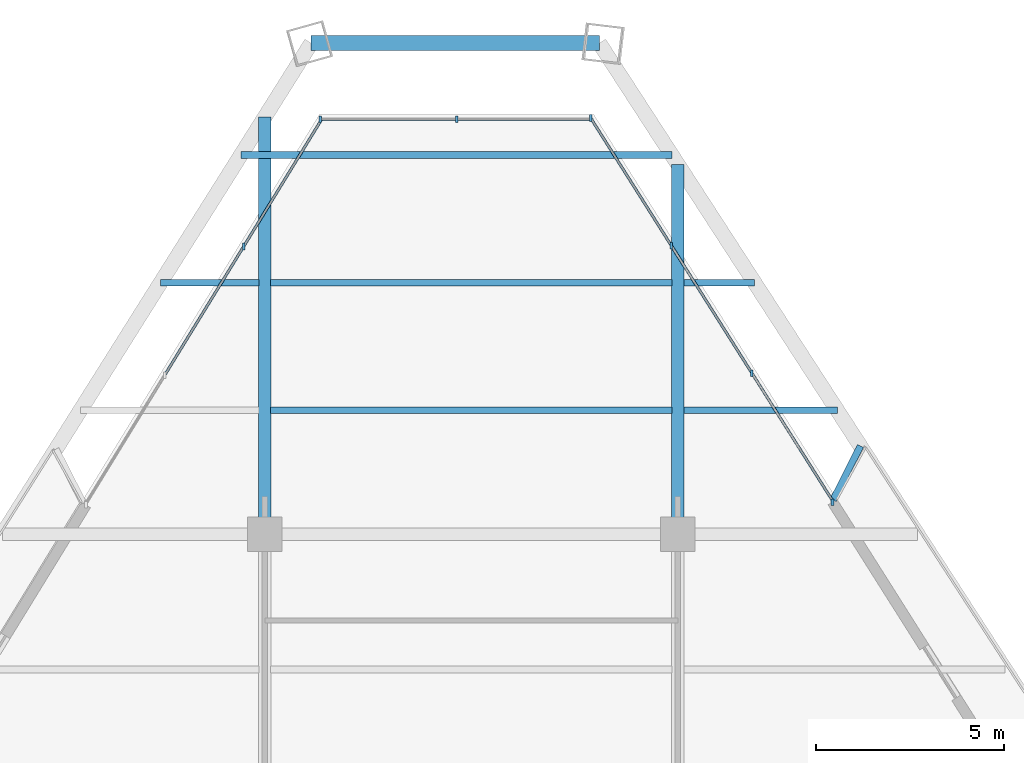
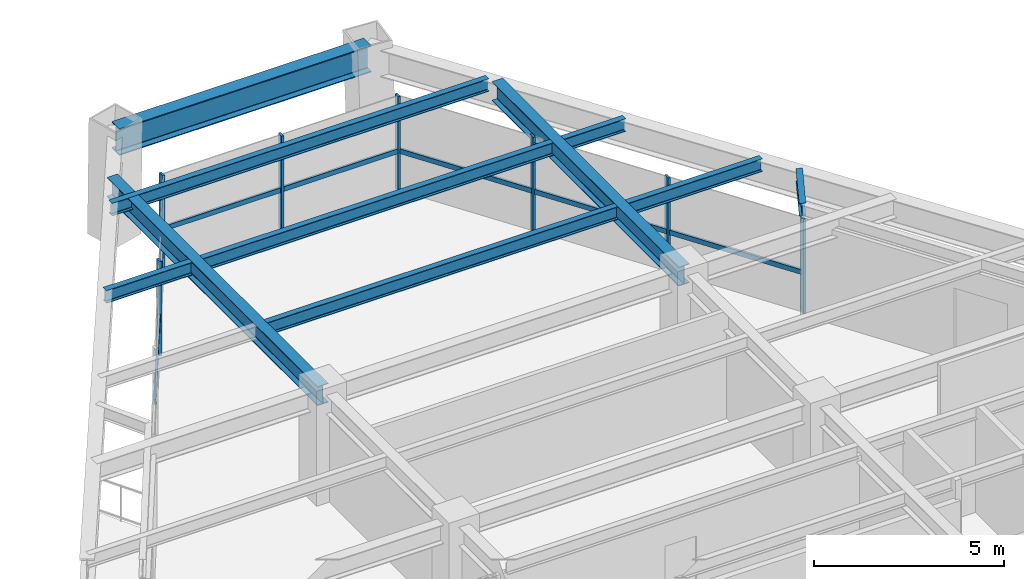
# One storey, part 9 of 15: 14 members, 10 beams, 3 elements without a shape of their own.
"""IFC4 building model written with IfcOpenShell, lengths in metres."""

import ifcopenshell
import ifcopenshell.guid

model = None  # the IFC model being written
_history = None  # IfcOwnerHistory: only IFC2X3 demands one
_inside = {}  # id of a spatial element -> (the spatial element, [elements in it])
_under = {}  # id of a project, library or spatial element -> (it, [spatial elements below it])
_declared = {}  # id of a project -> (the project, [libraries it declares])
_typed = {}  # id of a type object -> (the type object, [elements of that type])
_made_of = {}  # id of a material, layer set ... -> (it, [elements and type objects made of it])


def new_model(schema):
    """Start an empty IFC model of exactly this schema.

    Asked for "IFC4X3", IfcOpenShell would pick the latest addendum, in which some entities
    have other attributes; the version numbers below select the first issue.
    IFC2X3 requires an IfcOwnerHistory on every rooted entity: one is made here for all.
    """
    global model, _history
    if schema == "IFC4X3":
        model = ifcopenshell.file(schema_version=(4, 3, 0, 0))
    else:
        model = ifcopenshell.file(schema=schema)
    _inside.clear()
    _under.clear()
    _declared.clear()
    _typed.clear()
    _made_of.clear()
    _history = None
    if model.schema == "IFC2X3":
        org = make("IfcOrganization", Name="unknown")
        user = make(
            "IfcPersonAndOrganization",
            ThePerson=make("IfcPerson", FamilyName="unknown"),
            TheOrganization=org,
        )
        app = make(
            "IfcApplication",
            ApplicationDeveloper=org,
            Version="unknown",
            ApplicationFullName="unknown",
            ApplicationIdentifier="unknown",
        )
        _history = make(
            "IfcOwnerHistory",
            OwningUser=user,
            OwningApplication=app,
            ChangeAction="ADDED",
            CreationDate=0,
        )
    return model


def make(cls, **values):
    """One entity of the class cls with the attributes given. An attribute that is None is left unset."""
    return model.create_entity(
        cls, **{name: value for name, value in values.items() if value is not None}
    )


def rooted(cls, **values):
    """An entity with a GlobalId (a new one), such as an element, a storey or a relation."""
    return make(cls, GlobalId=ifcopenshell.guid.new(), OwnerHistory=_history, **values)


def si_unit(unit_type, name, prefix=None):
    """IfcSIUnit, for example si_unit("LENGTHUNIT", "METRE", prefix="MILLI")."""
    return make("IfcSIUnit", UnitType=unit_type, Prefix=prefix, Name=name)


def assignment(units):
    """IfcUnitAssignment: the units of a project."""
    return None if units is None else make("IfcUnitAssignment", Units=units)


def point(xyz):
    """IfcCartesianPoint."""
    return None if xyz is None else make("IfcCartesianPoint", Coordinates=xyz)


def direction(xyz):
    """IfcDirection."""
    return None if xyz is None else make("IfcDirection", DirectionRatios=xyz)


def frame(location, z_axis=None, x_axis=None):
    """IfcAxis2Placement3D, a coordinate frame: its origin and axes. An axis left out is left unset."""
    return make(
        "IfcAxis2Placement3D",
        Location=point(location),
        Axis=direction(z_axis),
        RefDirection=direction(x_axis),
    )


def frame_2d(location, x_axis=None):
    """IfcAxis2Placement2D, a coordinate frame in the plane: its origin and x axis."""
    return make(
        "IfcAxis2Placement2D", Location=point(location), RefDirection=direction(x_axis)
    )


def origin():
    """The frame at (0, 0, 0) with its axes left unset."""
    return frame((0.0, 0.0, 0.0))


def origin_2d():
    """The frame at (0, 0) in the plane with its x axis left unset."""
    return frame_2d((0.0, 0.0))


def place(relative_to, where):
    """IfcLocalPlacement: puts the frame where relative to a parent placement (None: the world)."""
    return make(
        "IfcLocalPlacement", PlacementRelTo=relative_to, RelativePlacement=where
    )


def context(
    kind, dimensions, precision=None, world=None, true_north=None, identifier=None
):
    """IfcGeometricRepresentationContext, for example the 3D "Model" context."""
    return make(
        "IfcGeometricRepresentationContext",
        ContextIdentifier=identifier,
        ContextType=kind,
        CoordinateSpaceDimension=dimensions,
        Precision=precision,
        WorldCoordinateSystem=world,
        TrueNorth=true_north,
    )


def subcontext(parent, identifier, kind, view, scale=None):
    """IfcGeometricRepresentationSubContext, for example "Body" below "Model"."""
    return make(
        "IfcGeometricRepresentationSubContext",
        ContextIdentifier=identifier,
        ContextType=kind,
        ParentContext=parent,
        TargetScale=scale,
        TargetView=view,
    )


def project(units=None, contexts=None):
    """IfcProject with its units and contexts."""
    return rooted(
        "IfcProject",
        Name="project",
        RepresentationContexts=contexts,
        UnitsInContext=assignment(units),
    )


def spatial(cls, under=None, at=None, **own):
    """A site, building, storey or space (cls), placed at a placement, below another one or the project."""
    s = rooted(cls, ObjectPlacement=at, **own)
    if under is not None:
        _under.setdefault(under.id(), (under, []))[1].append(s)
    return s


def profile(cls, at=None, kind="AREA", **sizes):
    """A parametric profile (cls). Its sizes go by their IFC names, for example OverallWidth=200.0."""
    return make(cls, ProfileType=kind, Position=at, **sizes)


def rectangle(**sizes):
    """IfcRectangleProfileDef."""
    return profile("IfcRectangleProfileDef", **sizes)


def i_section(**sizes):
    """IfcIShapeProfileDef."""
    return profile("IfcIShapeProfileDef", **sizes)


def extrude(swept, where, along, depth):
    """IfcExtrudedAreaSolid: the profile swept, set in the frame where, extruded along a direction by depth."""
    return make(
        "IfcExtrudedAreaSolid",
        SweptArea=swept,
        Position=where,
        ExtrudedDirection=direction(along),
        Depth=depth,
    )


def shape(context_of_items, identifier, shape_type, items):
    """IfcShapeRepresentation: the items that make up one representation, for example the "Body"."""
    return make(
        "IfcShapeRepresentation",
        ContextOfItems=context_of_items,
        RepresentationIdentifier=identifier,
        RepresentationType=shape_type,
        Items=items,
    )


def source(mapping_origin, context_of_items, identifier, shape_type, items):
    """IfcRepresentationMap: a shape defined once, which mapped items show again and again."""
    return make(
        "IfcRepresentationMap",
        MappingOrigin=mapping_origin,
        MappedRepresentation=shape(context_of_items, identifier, shape_type, items),
    )


def transform(
    local_origin,
    x_axis=None,
    y_axis=None,
    z_axis=None,
    scale=None,
    scale2=None,
    scale3=None,
    uniform=True,
):
    """IfcCartesianTransformationOperator3D, or its non-uniform kind. x_axis, y_axis, z_axis: its Axis1, 2, 3."""
    if uniform:
        return make(
            "IfcCartesianTransformationOperator3D",
            Axis1=direction(x_axis),
            Axis2=direction(y_axis),
            LocalOrigin=point(local_origin),
            Scale=scale,
            Axis3=direction(z_axis),
        )
    return make(
        "IfcCartesianTransformationOperator3DnonUniform",
        Axis1=direction(x_axis),
        Axis2=direction(y_axis),
        LocalOrigin=point(local_origin),
        Scale=scale,
        Axis3=direction(z_axis),
        Scale2=scale2,
        Scale3=scale3,
    )


def mapped(mapping_source, mapping_target):
    """IfcMappedItem: shows the shape of a source again, moved by a transform."""
    return make(
        "IfcMappedItem", MappingSource=mapping_source, MappingTarget=mapping_target
    )


def material(Name=None, Category=None):
    """IfcMaterial."""
    return make("IfcMaterial", Name=Name, Category=Category)


def material_profile(
    of_material, cross_section, Name=None, Category=None, Priority=None
):
    """IfcMaterialProfile: a cross section and its material."""
    return make(
        "IfcMaterialProfile",
        Name=Name,
        Material=of_material,
        Profile=cross_section,
        Priority=Priority,
        Category=Category,
    )


def profile_set(profiles, Name=None, composite=None):
    """IfcMaterialProfileSet."""
    return make(
        "IfcMaterialProfileSet",
        Name=Name,
        MaterialProfiles=profiles,
        CompositeProfile=composite,
    )


def made_of(thing, what):
    """Note that an element or type object is made of a material, layer set ...; save() writes the relation."""
    if what is not None:
        _made_of.setdefault(what.id(), (what, []))[1].append(thing)
    return thing


def type_object(cls, material=None, **own):
    """A type object (cls), such as IfcWallType, which elements share."""
    return made_of(rooted(cls, **own), material)


def element(
    cls,
    number,
    at=None,
    inside=None,
    cuts=None,
    type_object=None,
    material=None,
    context=None,
    identifier="Body",
    shape_type=None,
    held_by="IfcProductDefinitionShape",
    body=None,
    shapes=None,
    **own,
):
    """One element of the class cls, such as IfcWall. Its Tag is "e" and its number.

    at: its placement. inside: the storey or other place that contains it. cuts: it is an
    opening in that element (IfcRelVoidsElement). A single representation is given by context,
    identifier, shape_type and body (its items); several are given by shapes. held_by: the class
    of the entity that holds the representations. save() writes the other relations.
    """
    e = rooted(cls, Tag="e%d" % number, ObjectPlacement=at, **own)
    if body is not None:
        shapes = [shape(context, identifier, shape_type, body)]
    if shapes is not None:
        e.Representation = make(held_by, Representations=shapes)
    if inside is not None:
        _inside.setdefault(inside.id(), (inside, []))[1].append(e)
    if cuts is not None:
        rooted(
            "IfcRelVoidsElement", RelatingBuildingElement=cuts, RelatedOpeningElement=e
        )
    if type_object is not None:
        _typed.setdefault(type_object.id(), (type_object, []))[1].append(e)
    return made_of(e, material)


def aggregate(whole, parts):
    """IfcRelAggregates: a whole, such as a stair, and the parts it consists of."""
    return rooted("IfcRelAggregates", RelatingObject=whole, RelatedObjects=parts)


def save(model, path):
    """Write the relations noted so far, then the file.

    IfcRelAggregates (storeys below a building ...), IfcRelContainedInSpatialStructure (elements
    in a storey), IfcRelDefinesByType, IfcRelAssociatesMaterial and IfcRelDeclares: one each for
    every whole, place, type object, material and project.
    """
    for whole, parts in _under.values():
        aggregate(whole, parts)
    for where, things in _inside.values():
        rooted(
            "IfcRelContainedInSpatialStructure",
            RelatedElements=things,
            RelatingStructure=where,
        )
    for kind, things in _typed.values():
        rooted("IfcRelDefinesByType", RelatedObjects=things, RelatingType=kind)
    for what, things in _made_of.values():
        rooted("IfcRelAssociatesMaterial", RelatedObjects=things, RelatingMaterial=what)
    for by, libraries in _declared.values():
        rooted("IfcRelDeclares", RelatingContext=by, RelatedDefinitions=libraries)
    model.write(path)


model = new_model("IFC4")

# Units and contexts
model_context = context("Model", 3, precision=1e-05, world=origin(), true_north=direction((0.0, 1.0)))
body_context = subcontext(model_context, "Body", "Model", "MODEL_VIEW")
ifc_project = project(units=[si_unit("LENGTHUNIT", "METRE"), si_unit("AREAUNIT", "SQUARE_METRE"), si_unit("VOLUMEUNIT", "CUBIC_METRE"), si_unit("PLANEANGLEUNIT", "RADIAN"), si_unit("MASSUNIT", "GRAM", prefix="KILO")], contexts=[model_context])

# Site, building, storey
site_placement = place(None, origin())
site = spatial("IfcSite", under=ifc_project, at=site_placement, CompositionType="ELEMENT")
building_placement = place(site_placement, origin())
building = spatial("IfcBuilding", under=site, at=building_placement, Name="Varnakhor Terracotta Tower", CompositionType="ELEMENT")
storey_placement = place(building_placement, frame((0.0, 0.0, 196.89990234375)))
storey = spatial("IfcBuildingStorey", under=building, at=storey_placement, Name="L50", CompositionType="ELEMENT", Elevation=196.89990234375)

# Beams
ifc_material_1 = material(Name="Steel S355", Category="steel")
ifc_material_profile_1 = material_profile(ifc_material_1, i_section(OverallWidth=0.179931640625, OverallDepth=0.4130859375, WebThickness=0.009765625, FlangeThickness=0.01611328125, FilletRadius=0.01806640625, at=origin_2d()), Name="W16X50")
ifc_profile_set_1 = profile_set([ifc_material_profile_1], Name="Steel S355")
beam_type_1 = type_object("IfcBeamType", Name="JST-W16X50", PredefinedType="JOIST", material=ifc_profile_set_1)
shared_shape_1 = source(origin(), body_context, "Body", "SweptSolid", [
    extrude(i_section(OverallWidth=0.179931640625, OverallDepth=0.4130859375, WebThickness=0.009765625, FlangeThickness=0.01611328125, FilletRadius=0.01806640625, at=origin_2d()), origin(), (0.0, 0.0, 1.0), 10.68310546875),
])
for number, where, z_axis, x_axis, name in (
    (1, (-5.341552734375, 34.800048828125, 3.263671875), (1.0, 0.0, 0.0), (0.0, 1.0, 0.0), "L50 Composite Floor Joist 7-2"),
    (2, (-5.341552734375, 38.199951171875, 3.263671875), (1.0, 0.0, 0.0), (0.0, 1.0, 0.0), "L50 Composite Floor Joist 8-2"),
):
    element("IfcBeam", number, at=place(storey_placement, frame(where, z_axis=z_axis, x_axis=x_axis)), inside=storey, type_object=beam_type_1, Name=name, PredefinedType="JOIST", context=body_context, shape_type="MappedRepresentation", body=[
        mapped(shared_shape_1, transform((0.0, 0.0, 0.0), scale=1.0)),
    ])
ifc_material_profile_2 = material_profile(ifc_material_1, i_section(OverallWidth=0.39990234375, OverallDepth=0.85498046875, WebThickness=0.01806640625, FlangeThickness=0.029052734375, FilletRadius=0.01806640625, at=origin_2d()), Name="W33X201")
ifc_profile_set_2 = profile_set([ifc_material_profile_2], Name="Steel S355")
beam_type_2 = type_object("IfcBeamType", Name="BM-W33X201", PredefinedType="BEAM", material=ifc_profile_set_2)
shared_shape_2 = source(origin(), body_context, "Body", "SweptSolid", [
    extrude(i_section(OverallWidth=0.39990234375, OverallDepth=0.85498046875, WebThickness=0.01806640625, FlangeThickness=0.029052734375, FilletRadius=0.01806640625, at=origin_2d()), origin(), (0.0, 0.0, 1.0), 7.6728515625),
])
beam_1_placement = place(storey_placement, frame((3.40966796875, 44.580078125, 3.04248046875), z_axis=(-1.0, 0.0, 0.0), x_axis=(0.0, -1.0, 0.0)))
element("IfcBeam", 3, at=beam_1_placement, inside=storey, type_object=beam_type_2, Name="L50 Perimeter Spandrel 5", PredefinedType="BEAM", context=body_context, shape_type="MappedRepresentation", body=[
    mapped(shared_shape_2, transform((0.0, 0.0, 0.0), scale=1.0)),
])
ifc_material_profile_3 = material_profile(ifc_material_1, i_section(OverallWidth=0.324951171875, OverallDepth=0.615966796875, WebThickness=0.013916015625, FlangeThickness=0.02197265625, FilletRadius=0.01806640625, at=origin_2d()), Name="W24X117")
ifc_profile_set_3 = profile_set([ifc_material_profile_3], Name="Steel S355")
beam_type_3 = type_object("IfcBeamType", Name="BM-W24X117", PredefinedType="BEAM", material=ifc_profile_set_3)
shared_shape_3 = source(origin(), body_context, "Body", "SweptSolid", [
    extrude(i_section(OverallWidth=0.324951171875, OverallDepth=0.615966796875, WebThickness=0.013916015625, FlangeThickness=0.02197265625, FilletRadius=0.01806640625, at=origin_2d()), origin(), (0.0, 0.0, 1.0), 11.113525390625),
])
beam_2_placement = place(storey_placement, frame((-5.5, 31.5, 3.162109375), z_axis=(0.0, 1.0, 0.0), x_axis=(-1.0, 0.0, 0.0)))
element("IfcBeam", 4, at=beam_2_placement, inside=storey, type_object=beam_type_3, Name="L50 Primary Girder NS3-W", PredefinedType="BEAM", context=body_context, shape_type="MappedRepresentation", body=[
    mapped(shared_shape_3, transform((0.0, 0.0, 0.0), scale=1.0)),
])
shared_shape_4 = source(origin(), body_context, "Body", "SweptSolid", [
    extrude(i_section(OverallWidth=0.324951171875, OverallDepth=0.615966796875, WebThickness=0.013916015625, FlangeThickness=0.02197265625, FilletRadius=0.01806640625, at=origin_2d()), origin(), (0.0, 0.0, 1.0), 9.854248046875),
])
beam_3_placement = place(storey_placement, frame((5.5, 31.5, 3.162109375), z_axis=(0.0, 1.0, 0.0), x_axis=(-1.0, 0.0, 0.0)))
element("IfcBeam", 5, at=beam_3_placement, inside=storey, type_object=beam_type_3, Name="L50 Primary Girder NS3-E", PredefinedType="BEAM", context=body_context, shape_type="MappedRepresentation", body=[
    mapped(shared_shape_4, transform((0.0, 0.0, 0.0), scale=1.0)),
])
shared_shape_5 = source(origin(), body_context, "Body", "SweptSolid", [
    extrude(i_section(OverallWidth=0.179931640625, OverallDepth=0.4130859375, WebThickness=0.009765625, FlangeThickness=0.01611328125, FilletRadius=0.01806640625, at=origin_2d()), origin(), (0.0, 0.0, 1.0), 4.0888671875),
])
beam_4_placement = place(storey_placement, frame((5.658447265625, 34.800048828125, 3.263671875), z_axis=(1.0, 0.0, 0.0), x_axis=(0.0, 1.0, 0.0)))
element("IfcBeam", 6, at=beam_4_placement, inside=storey, type_object=beam_type_1, Name="L50 Composite Floor Joist 7-3", PredefinedType="JOIST", context=body_context, shape_type="MappedRepresentation", body=[
    mapped(shared_shape_5, transform((0.0, 0.0, 0.0), scale=1.0)),
])
shared_shape_6 = source(origin(), body_context, "Body", "SweptSolid", [
    extrude(i_section(OverallWidth=0.179931640625, OverallDepth=0.4130859375, WebThickness=0.009765625, FlangeThickness=0.01611328125, FilletRadius=0.01806640625, at=origin_2d()), origin(), (0.0, 0.0, 1.0), 2.6171875),
])
beam_5_placement = place(storey_placement, frame((-8.275634765625, 38.199951171875, 3.263671875), z_axis=(1.0, 0.0, 0.0), x_axis=(0.0, 1.0, 0.0)))
element("IfcBeam", 7, at=beam_5_placement, inside=storey, type_object=beam_type_1, Name="L50 Composite Floor Joist 8-1", PredefinedType="JOIST", context=body_context, shape_type="MappedRepresentation", body=[
    mapped(shared_shape_6, transform((0.0, 0.0, 0.0), scale=1.0)),
])
shared_shape_7 = source(origin(), body_context, "Body", "SweptSolid", [
    extrude(i_section(OverallWidth=0.179931640625, OverallDepth=0.4130859375, WebThickness=0.009765625, FlangeThickness=0.01611328125, FilletRadius=0.01806640625, at=origin_2d()), origin(), (0.0, 0.0, 1.0), 1.8857421875),
])
beam_6_placement = place(storey_placement, frame((5.658447265625, 38.199951171875, 3.263671875), z_axis=(1.0, 0.0, 0.0), x_axis=(0.0, 1.0, 0.0)))
element("IfcBeam", 8, at=beam_6_placement, inside=storey, type_object=beam_type_1, Name="L50 Composite Floor Joist 8-3", PredefinedType="JOIST", context=body_context, shape_type="MappedRepresentation", body=[
    mapped(shared_shape_7, transform((0.0, 0.0, 0.0), scale=1.0)),
])
shared_shape_8 = source(origin(), body_context, "Body", "SweptSolid", [
    extrude(i_section(OverallWidth=0.179931640625, OverallDepth=0.4130859375, WebThickness=0.009765625, FlangeThickness=0.01611328125, FilletRadius=0.01806640625, at=origin_2d()), origin(), (0.0, 0.0, 1.0), 11.478271484375),
])
beam_7_placement = place(storey_placement, frame((-6.137451171875, 41.60009765625, 3.263671875), z_axis=(1.0, 0.0, 0.0), x_axis=(0.0, 1.0, 0.0)))
element("IfcBeam", 9, at=beam_7_placement, inside=storey, type_object=beam_type_1, Name="L50 Composite Floor Joist 9-1", PredefinedType="JOIST", context=body_context, shape_type="MappedRepresentation", body=[
    mapped(shared_shape_8, transform((0.0, 0.0, 0.0), scale=1.0)),
])
ifc_material_profile_4 = material_profile(ifc_material_1, i_section(OverallWidth=0.179931640625, OverallDepth=0.39990234375, WebThickness=0.008544921875, FlangeThickness=0.013427734375, FilletRadius=0.01806640625, at=origin_2d()), Name="IPE400")
ifc_profile_set_4 = profile_set([ifc_material_profile_4], Name="Steel S355")
beam_type_4 = type_object("IfcBeamType", Name="JST-IPE400", PredefinedType="JOIST", material=ifc_profile_set_4)
shared_shape_9 = source(origin(), body_context, "Body", "SweptSolid", [
    extrude(i_section(OverallWidth=0.179931640625, OverallDepth=0.39990234375, WebThickness=0.008544921875, FlangeThickness=0.013427734375, FilletRadius=0.01806640625, at=origin_2d()), origin(), (0.0, 0.0, 1.0), 1.612548828125),
])
beam_8_placement = place(storey_placement, frame((9.635498046875, 32.41064453125, 3.27001953125), z_axis=(0.451508508194, 0.892266813811, 0.0), x_axis=(-0.892266813811, 0.451508508194, 0.0)))
element("IfcBeam", 10, at=beam_8_placement, inside=storey, type_object=beam_type_4, Name="L51 E Loggia Tie Beam 1", PredefinedType="JOIST", context=body_context, shape_type="MappedRepresentation", body=[
    mapped(shared_shape_9, transform((0.0, 0.0, 0.0), scale=1.0)),
])

# Curtain wall, member
ifc_material_2 = material(Name="Anodised Aluminium Curtain Wall System", Category="aluminium")
curtain_wall_type = type_object("IfcCurtainWallType", Name="CW-SYS-MID-OFFICE", PredefinedType="NOTDEFINED", material=ifc_material_2)
curtain_wall_1_placement = place(storey_placement, origin())
curtain_wall_1 = element("IfcCurtainWall", 11, at=curtain_wall_1_placement, inside=storey, type_object=curtain_wall_type, Name="L50 W Facet Curtain Wall 2", PredefinedType="NOTDEFINED")
ifc_material_3 = material(Name="Anodised Aluminium 6063-T6", Category="aluminium")
ifc_material_profile_5 = material_profile(ifc_material_3, rectangle(XDim=0.070068359375, YDim=0.175048828125, at=origin_2d()), Name="ALU MULLION 70x175")
ifc_profile_set_5 = profile_set([ifc_material_profile_5], Name="Anodised Aluminium 6063-T6")
member_type_1 = type_object("IfcMemberType", Name="CWM-03", PredefinedType="MULLION", material=ifc_profile_set_5)
shared_shape_10 = source(origin(), body_context, "Body", "SweptSolid", [
    extrude(rectangle(XDim=0.070068359375, YDim=0.175048828125, at=origin_2d()), origin(), (0.0, 0.0, 1.0), 3.050048828125),
])
member_1_placement = place(storey_placement, frame((-6.06298828125, 39.16357421875, 0.0), z_axis=(0.0, 0.0, 1.0), x_axis=(1.0, 0.0, 0.0)))
member_1 = element("IfcMember", 12, at=member_1_placement, type_object=member_type_1, Name="L50 W Facet Curtain Wall 2 Mullion 3", PredefinedType="MULLION", context=body_context, shape_type="MappedRepresentation", body=[
    mapped(shared_shape_10, transform((0.0, 0.0, 0.0), scale=1.0)),
])

# Curtain wall, members
curtain_wall_2_placement = place(storey_placement, origin())
curtain_wall_2 = element("IfcCurtainWall", 13, at=curtain_wall_2_placement, inside=storey, type_object=curtain_wall_type, Name="L50 Facet Curtain Wall 2", PredefinedType="NOTDEFINED")
member_2_placement = place(storey_placement, frame((-4.018798828125, 42.5556640625, 0.0), z_axis=(0.0, 0.0, 1.0), x_axis=(1.0, 0.0, 0.0)))
member_2 = element("IfcMember", 14, at=member_2_placement, type_object=member_type_1, Name="L50 Facet Curtain Wall 2 Mullion 1", PredefinedType="MULLION", context=body_context, shape_type="MappedRepresentation", body=[
    mapped(shared_shape_10, transform((0.0, 0.0, 0.0), scale=1.0)),
])
member_3_placement = place(storey_placement, frame((-0.391845703125, 42.5556640625, 0.0), z_axis=(0.0, 0.0, 1.0), x_axis=(1.0, 0.0, 0.0)))
member_3 = element("IfcMember", 15, at=member_3_placement, type_object=member_type_1, Name="L50 Facet Curtain Wall 2 Mullion 2", PredefinedType="MULLION", context=body_context, shape_type="MappedRepresentation", body=[
    mapped(shared_shape_10, transform((0.0, 0.0, 0.0), scale=1.0)),
])

curtain_wall_3_placement = place(storey_placement, origin())
curtain_wall_3 = element("IfcCurtainWall", 16, at=curtain_wall_3_placement, inside=storey, type_object=curtain_wall_type, Name="L50 E Facet Curtain Wall 1", PredefinedType="NOTDEFINED")
member_4_placement = place(storey_placement, frame((3.179443359375, 42.586181640625, 0.0), z_axis=(0.0, 0.0, 1.0), x_axis=(1.0, 0.0, 0.0)))
member_4 = element("IfcMember", 17, at=member_4_placement, type_object=member_type_1, Name="L50 E Facet Curtain Wall 1 Mullion 1", PredefinedType="MULLION", context=body_context, shape_type="MappedRepresentation", body=[
    mapped(shared_shape_10, transform((0.0, 0.0, 0.0), scale=1.0)),
])
member_5_placement = place(storey_placement, frame((5.32666015625, 39.188720703125, 0.0), z_axis=(0.0, 0.0, 1.0), x_axis=(1.0, 0.0, 0.0)))
member_5 = element("IfcMember", 18, at=member_5_placement, type_object=member_type_1, Name="L50 E Facet Curtain Wall 1 Mullion 2", PredefinedType="MULLION", context=body_context, shape_type="MappedRepresentation", body=[
    mapped(shared_shape_10, transform((0.0, 0.0, 0.0), scale=1.0)),
])
member_6_placement = place(storey_placement, frame((7.473876953125, 35.791259765625, 0.0), z_axis=(0.0, 0.0, 1.0), x_axis=(1.0, 0.0, 0.0)))
member_6 = element("IfcMember", 19, at=member_6_placement, type_object=member_type_1, Name="L50 E Facet Curtain Wall 1 Mullion 3", PredefinedType="MULLION", context=body_context, shape_type="MappedRepresentation", body=[
    mapped(shared_shape_10, transform((0.0, 0.0, 0.0), scale=1.0)),
])
member_7_placement = place(storey_placement, frame((9.6201171875, 32.35791015625, 0.0), z_axis=(0.0, 0.0, 1.0), x_axis=(1.0, 0.0, 0.0)))
member_7 = element("IfcMember", 20, at=member_7_placement, type_object=member_type_1, Name="L50 E Loggia Jamb Closure Mullion 1", PredefinedType="MULLION", context=body_context, shape_type="MappedRepresentation", body=[
    mapped(shared_shape_10, transform((0.0, 0.0, 0.0), scale=1.0)),
])

# Member
ifc_material_profile_6 = material_profile(ifc_material_3, rectangle(XDim=0.070068359375, YDim=0.155029296875, at=origin_2d()), Name="ALU TRANSOM 70x155")
ifc_profile_set_6 = profile_set([ifc_material_profile_6], Name="Anodised Aluminium 6063-T6")
member_type_2 = type_object("IfcMemberType", Name="CWT-03", PredefinedType="USERDEFINED", material=ifc_profile_set_6)
shared_shape_11 = source(origin(), body_context, "Body", "SweptSolid", [
    extrude(rectangle(XDim=0.070068359375, YDim=0.155029296875, at=origin_2d()), origin(), (0.0, 0.0, 1.0), 4.01708984375),
])
member_8_placement = place(storey_placement, frame((-6.06298828125, 39.16357421875, 1.281005859375), z_axis=(0.522988122925, 0.852339969308, 0.0), x_axis=(-0.852339969308, 0.522988122925, 0.0)))
member_8 = element("IfcMember", 21, at=member_8_placement, type_object=member_type_2, Name="L50 W Facet Curtain Wall 2 Transom 3", ObjectType="TRANSOM", PredefinedType="USERDEFINED", context=body_context, shape_type="MappedRepresentation", body=[
    mapped(shared_shape_11, transform((0.0, 0.0, 0.0), scale=1.0)),
])

shared_shape_12 = source(origin(), body_context, "Body", "SweptSolid", [
    extrude(rectangle(XDim=0.070068359375, YDim=0.155029296875, at=origin_2d()), origin(), (0.0, 0.0, 1.0), 4.016845703125),
])
member_9_placement = place(storey_placement, frame((-8.1640625, 35.739990234375, 1.281005859375), z_axis=(0.523059368463, 0.852296249589, 0.0), x_axis=(-0.852296249589, 0.523059368463, 0.0)))
member_9 = element("IfcMember", 22, at=member_9_placement, type_object=member_type_2, Name="L50 W Facet Curtain Wall 2 Transom 2", ObjectType="TRANSOM", PredefinedType="USERDEFINED", context=body_context, shape_type="MappedRepresentation", body=[
    mapped(shared_shape_12, transform((0.0, 0.0, 0.0), scale=1.0)),
])

aggregate(curtain_wall_1, [member_9, member_1, member_8])

shared_shape_13 = source(origin(), body_context, "Body", "SweptSolid", [
    extrude(rectangle(XDim=0.070068359375, YDim=0.155029296875, at=origin_2d()), origin(), (0.0, 0.0, 1.0), 3.626953125),
])
member_10_placement = place(storey_placement, frame((-4.018798828125, 42.5556640625, 1.281005859375), z_axis=(1.0, 0.0, 0.0), x_axis=(0.0, 1.0, 0.0)))
member_10 = element("IfcMember", 23, at=member_10_placement, type_object=member_type_2, Name="L50 Facet Curtain Wall 2 Transom 1", ObjectType="TRANSOM", PredefinedType="USERDEFINED", context=body_context, shape_type="MappedRepresentation", body=[
    mapped(shared_shape_13, transform((0.0, 0.0, 0.0), scale=1.0)),
])

shared_shape_14 = source(origin(), body_context, "Body", "SweptSolid", [
    extrude(rectangle(XDim=0.070068359375, YDim=0.155029296875, at=origin_2d()), origin(), (0.0, 0.0, 1.0), 3.626708984375),
])
member_11_placement = place(storey_placement, frame((-0.391845703125, 42.5556640625, 1.281005859375), z_axis=(1.0, 0.0, 0.0), x_axis=(0.0, 1.0, 0.0)))
member_11 = element("IfcMember", 24, at=member_11_placement, type_object=member_type_2, Name="L50 Facet Curtain Wall 2 Transom 2", ObjectType="TRANSOM", PredefinedType="USERDEFINED", context=body_context, shape_type="MappedRepresentation", body=[
    mapped(shared_shape_14, transform((0.0, 0.0, 0.0), scale=1.0)),
])

aggregate(curtain_wall_2, [member_2, member_10, member_3, member_11])

shared_shape_15 = source(origin(), body_context, "Body", "SweptSolid", [
    extrude(rectangle(XDim=0.070068359375, YDim=0.155029296875, at=origin_2d()), origin(), (0.0, 0.0, 1.0), 4.01904296875),
])
member_12_placement = place(storey_placement, frame((3.179443359375, 42.586181640625, 1.281005859375), z_axis=(0.534251222434, -0.845325754563, 0.0), x_axis=(0.845325754563, 0.534251222434, 0.0)))
member_12 = element("IfcMember", 25, at=member_12_placement, type_object=member_type_2, Name="L50 E Facet Curtain Wall 1 Transom 1", ObjectType="TRANSOM", PredefinedType="USERDEFINED", context=body_context, shape_type="MappedRepresentation", body=[
    mapped(shared_shape_15, transform((0.0, 0.0, 0.0), scale=1.0)),
])

member_13_placement = place(storey_placement, frame((5.32666015625, 39.188720703125, 1.281005859375), z_axis=(0.534251222434, -0.845325754563, 0.0), x_axis=(0.845325754563, 0.534251222434, 0.0)))
member_13 = element("IfcMember", 26, at=member_13_placement, type_object=member_type_2, Name="L50 E Facet Curtain Wall 1 Transom 2", ObjectType="TRANSOM", PredefinedType="USERDEFINED", context=body_context, shape_type="MappedRepresentation", body=[
    mapped(shared_shape_15, transform((0.0, 0.0, 0.0), scale=1.0)),
])

member_14_placement = place(storey_placement, frame((7.473876953125, 35.791259765625, 1.281005859375), z_axis=(0.534251222434, -0.845325754563, 0.0), x_axis=(0.845325754563, 0.534251222434, 0.0)))
member_14 = element("IfcMember", 27, at=member_14_placement, type_object=member_type_2, Name="L50 E Facet Curtain Wall 1 Transom 3", ObjectType="TRANSOM", PredefinedType="USERDEFINED", context=body_context, shape_type="MappedRepresentation", body=[
    mapped(shared_shape_15, transform((0.0, 0.0, 0.0), scale=1.0)),
])

aggregate(curtain_wall_3, [member_4, member_12, member_5, member_13, member_6, member_14, member_7])

save(model, "model.ifc")
